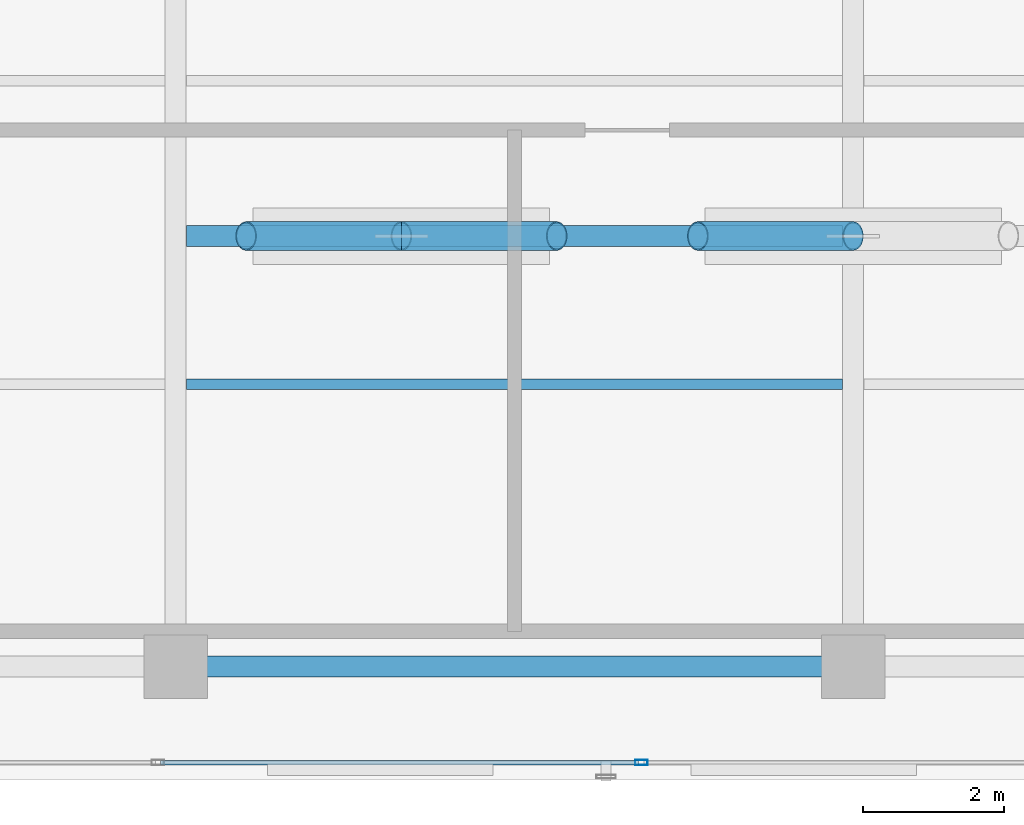
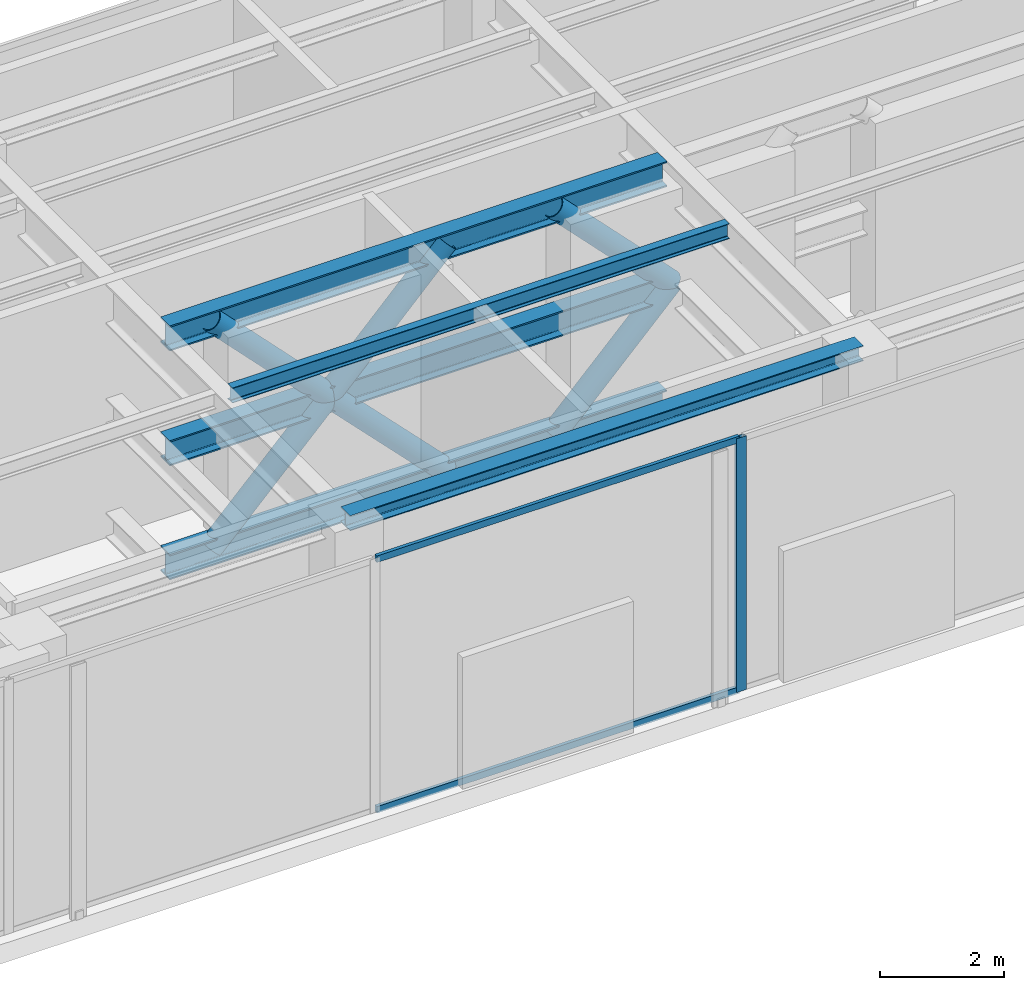
# One storey, part 7 of 29: 9 members, 5 beams, 1 element without a shape of its own.
"""IFC4 building model written with IfcOpenShell, lengths in metres."""

from ifc_helpers import new_model, si_unit, direction, frame, origin, origin_with_axes, origin_2d, place, context, subcontext, project, spatial, hollow_rectangle, hollow_circle, i_section, extrude, source, transform, mapped, material, layer, layer_set, material_profile, profile_set, type_object, element, aggregate, save


model = new_model("IFC4")

# Units and contexts
model_context = context("Model", 3, precision=1e-05, world=origin(), true_north=direction((0.0, 1.0)))
body_context = subcontext(model_context, "Body", "Model", "MODEL_VIEW")
ifc_project = project(units=[si_unit("LENGTHUNIT", "METRE"), si_unit("AREAUNIT", "SQUARE_METRE"), si_unit("VOLUMEUNIT", "CUBIC_METRE"), si_unit("PLANEANGLEUNIT", "RADIAN"), si_unit("MASSUNIT", "GRAM", prefix="KILO")], contexts=[model_context])

# Site, building, storey
site_placement = place(None, origin())
site = spatial("IfcSite", under=ifc_project, at=site_placement, CompositionType="ELEMENT")
building_placement = place(site_placement, origin())
building = spatial("IfcBuilding", under=site, at=building_placement, Name="Kolvaren Waterfront Exchange", CompositionType="ELEMENT")
storey_placement = place(building_placement, frame((0.0, 0.0, 338.800048828125)))
storey = spatial("IfcBuildingStorey", under=building, at=storey_placement, Name="L87", CompositionType="ELEMENT", Elevation=338.800048828125)

# Beams
ifc_material_1 = material(Name="Steel S355", Category="steel")
ifc_material_profile_1 = material_profile(ifc_material_1, i_section(OverallWidth=0.300048828125, OverallDepth=0.300048828125, WebThickness=0.010986328125, FlangeThickness=0.01904296875, FilletRadius=0.027099609375, at=origin_2d()), Name="HEB300")
ifc_profile_set_1 = profile_set([ifc_material_profile_1], Name="Steel S355")
beam_type_1 = type_object("IfcBeamType", Name="STR-BM-HEB300", PredefinedType="SPANDREL", material=ifc_profile_set_1)
beam_1_placement = place(storey_placement, frame((27.199951171875, 5.199951171875, 4.869873046875), z_axis=(1.0, 0.0, 0.0), x_axis=(0.0, 1.0, 0.0)))
element("IfcBeam", 1, at=beam_1_placement, inside=storey, type_object=beam_type_1, Name="L87 east-arm spandrel S2", PredefinedType="SPANDREL", context=body_context, shape_type="SweptSolid", body=[
    extrude(i_section(OverallWidth=0.300048828125, OverallDepth=0.300048828125, WebThickness=0.010986328125, FlangeThickness=0.01904296875, FilletRadius=0.027099609375, at=origin_2d()), origin(), (0.0, 0.0, 1.0), 9.60009765625),
])
ifc_material_profile_2 = material_profile(ifc_material_1, i_section(OverallWidth=0.300048828125, OverallDepth=0.5, WebThickness=0.014404296875, FlangeThickness=0.028076171875, FilletRadius=0.027099609375, at=origin_2d()), Name="HEB500")
ifc_profile_set_2 = profile_set([ifc_material_profile_2], Name="Steel S355")
beam_type_2 = type_object("IfcBeamType", Name="STR-BM-HEB500", PredefinedType="BEAM", material=ifc_profile_set_2)
for number, where, z_axis, x_axis, name in (
    (2, (27.35205078125, 11.300048828125, 0.25), (1.0, 0.0, 0.0), (0.0, 1.0, 0.0), "L87 Venturi turbine sill longitudinal beam 1"),
    (3, (27.35205078125, 11.300048828125, 2.5), (1.0, 0.0, 0.0), (0.0, 1.0, 0.0), "L87 Venturi turbine hub longitudinal beam 1"),
    (4, (27.35205078125, 11.300048828125, 4.77001953125), (1.0, 0.0, 0.0), (0.0, 1.0, 0.0), "L87 Venturi turbine head longitudinal beam 1"),
):
    element("IfcBeam", number, at=place(storey_placement, frame(where, z_axis=z_axis, x_axis=x_axis)), inside=storey, type_object=beam_type_2, Name=name, PredefinedType="BEAM", context=body_context, shape_type="SweptSolid", body=[
        extrude(i_section(OverallWidth=0.300048828125, OverallDepth=0.5, WebThickness=0.014404296875, FlangeThickness=0.028076171875, FilletRadius=0.027099609375, at=origin_2d()), origin(), (0.0, 0.0, 1.0), 9.2958984375),
    ])
ifc_material_profile_3 = material_profile(ifc_material_1, i_section(OverallWidth=0.14990234375, OverallDepth=0.300048828125, WebThickness=0.007080078125, FlangeThickness=0.0107421875, FilletRadius=0.014892578125, at=origin_2d()), Name="IPE300")
ifc_profile_set_3 = profile_set([ifc_material_profile_3], Name="Steel S355")
beam_type_3 = type_object("IfcBeamType", Name="STR-BM-IPE300", PredefinedType="JOIST", material=ifc_profile_set_3)
beam_2_placement = place(storey_placement, frame((27.35205078125, 9.199951171875, 4.869873046875), z_axis=(1.0, 0.0, 0.0), x_axis=(0.0, 1.0, 0.0)))
element("IfcBeam", 5, at=beam_2_placement, inside=storey, type_object=beam_type_3, Name="L87 east-arm composite joist 2B", PredefinedType="JOIST", context=body_context, shape_type="SweptSolid", body=[
    extrude(i_section(OverallWidth=0.14990234375, OverallDepth=0.300048828125, WebThickness=0.007080078125, FlangeThickness=0.0107421875, FilletRadius=0.014892578125, at=origin_2d()), origin(), (0.0, 0.0, 1.0), 9.2958984375),
])

# Members
ifc_material_profile_4 = material_profile(ifc_material_1, hollow_circle(Radius=0.203125, WallThickness=0.01611328125, at=origin_2d()), Name="CHS406.4x16")
ifc_profile_set_4 = profile_set([ifc_material_profile_4], Name="Steel S355")
member_type_1 = type_object("IfcMemberType", Name="STR-ST-CHS406", PredefinedType="STRUT", material=ifc_profile_set_4)
member_1_placement = place(storey_placement, frame((28.199951171875, 11.300048828125, 0.25), z_axis=(0.699109699154, 0.0, 0.715014425413), x_axis=(0.0, 1.0, 0.0)))
element("IfcMember", 6, at=member_1_placement, inside=storey, type_object=member_type_1, Name="L87 Venturi WIND TURBINE 1 portal strut 1", PredefinedType="STRUT", context=body_context, shape_type="SweptSolid", body=[
    extrude(hollow_circle(Radius=0.203125, WallThickness=0.01611328125, at=origin_2d()), origin(), (0.0, 0.0, 1.0), 3.146728515625),
])
member_2_placement = place(storey_placement, frame((32.60009765625, 11.300048828125, 0.25), z_axis=(-0.699149360423, 0.0, 0.714975644214), x_axis=(0.0, -1.0, 0.0)))
element("IfcMember", 7, at=member_2_placement, inside=storey, type_object=member_type_1, Name="L87 Venturi WIND TURBINE 1 portal strut 2", PredefinedType="STRUT", context=body_context, shape_type="SweptSolid", body=[
    extrude(hollow_circle(Radius=0.203125, WallThickness=0.01611328125, at=origin_2d()), origin(), (0.0, 0.0, 1.0), 3.14697265625),
])
member_3_placement = place(storey_placement, frame((28.199951171875, 11.300048828125, 4.77001953125), z_axis=(0.695937137842, 0.0, -0.718102708651), x_axis=(0.0, 1.0, 0.0)))
element("IfcMember", 8, at=member_3_placement, inside=storey, type_object=member_type_1, Name="L87 Venturi WIND TURBINE 1 portal strut 3", PredefinedType="STRUT", context=body_context, shape_type="SweptSolid", body=[
    extrude(hollow_circle(Radius=0.203125, WallThickness=0.01611328125, at=origin_2d()), origin(), (0.0, 0.0, 1.0), 3.1611328125),
])
member_4_placement = place(storey_placement, frame((32.60009765625, 11.300048828125, 4.77001953125), z_axis=(-0.695976960949, 0.0, -0.718064112617), x_axis=(0.0, -1.0, 0.0)))
element("IfcMember", 9, at=member_4_placement, inside=storey, type_object=member_type_1, Name="L87 Venturi WIND TURBINE 1 portal strut 4", PredefinedType="STRUT", context=body_context, shape_type="SweptSolid", body=[
    extrude(hollow_circle(Radius=0.203125, WallThickness=0.01611328125, at=origin_2d()), origin(), (0.0, 0.0, 1.0), 3.161376953125),
])
member_5_placement = place(storey_placement, frame((34.60009765625, 11.300048828125, 0.25), z_axis=(0.699109699154, 0.0, 0.715014425413), x_axis=(0.0, 1.0, 0.0)))
element("IfcMember", 10, at=member_5_placement, inside=storey, type_object=member_type_1, Name="L87 Venturi WIND TURBINE 2 portal strut 1", PredefinedType="STRUT", context=body_context, shape_type="SweptSolid", body=[
    extrude(hollow_circle(Radius=0.203125, WallThickness=0.01611328125, at=origin_2d()), origin(), (0.0, 0.0, 1.0), 3.146728515625),
])
member_6_placement = place(storey_placement, frame((34.60009765625, 11.300048828125, 4.77001953125), z_axis=(0.695937137842, 0.0, -0.718102708651), x_axis=(0.0, 1.0, 0.0)))
element("IfcMember", 11, at=member_6_placement, inside=storey, type_object=member_type_1, Name="L87 Venturi WIND TURBINE 2 portal strut 3", PredefinedType="STRUT", context=body_context, shape_type="SweptSolid", body=[
    extrude(hollow_circle(Radius=0.203125, WallThickness=0.01611328125, at=origin_2d()), origin(), (0.0, 0.0, 1.0), 3.1611328125),
])

# Curtain wall, members
ifc_material_2 = material(Name="Anodised dark bronze spandrel aluminium", Category="aluminium")
ifc_layer = layer(ifc_material_2, 0.219970703125, Name="Anodised dark bronze spandrel aluminium")
ifc_layer_set = layer_set([ifc_layer], Name="Anodised dark bronze spandrel aluminium")
curtain_wall_type = type_object("IfcCurtainWallType", Name="ARC-CW-SYS6", PredefinedType="USERDEFINED", material=ifc_layer_set)
curtain_wall_placement = place(storey_placement, origin())
curtain_wall = element("IfcCurtainWall", 12, at=curtain_wall_placement, inside=storey, type_object=curtain_wall_type, Name="L87 stick curtain wall CW6 (CW-L87-S)", ObjectType="STICK CURTAIN WALL", PredefinedType="USERDEFINED")
ifc_material_3 = material(Name="Anodised bronze aluminium 6063-T6", Category="aluminium")
ifc_material_profile_5 = material_profile(ifc_material_3, hollow_rectangle(XDim=0.074951171875, YDim=0.179931640625, WallThickness=0.00439453125, at=origin_2d()), Name="ALU-MUL-180x75x4.5")
ifc_profile_set_5 = profile_set([ifc_material_profile_5], Name="Anodised bronze aluminium 6063-T6")
member_type_2 = type_object("IfcMemberType", Name="ARC-CWM-180", PredefinedType="MULLION", material=ifc_profile_set_5)
shared_shape_1 = source(origin_with_axes(), body_context, "Body", "SweptSolid", [
    extrude(hollow_rectangle(XDim=0.074951171875, YDim=0.179931640625, WallThickness=0.00439453125, at=origin_2d()), origin(), (0.0, 0.0, 1.0), 5.02001953125),
])
member_7_placement = place(storey_placement, frame((33.800048828125, 3.840087890625, 0.0), z_axis=(0.0, 0.0, 1.0), x_axis=(0.0, 1.0, 0.0)))
member_7 = element("IfcMember", 13, at=member_7_placement, type_object=member_type_2, Name="CW6 mullion 5", PredefinedType="MULLION", context=body_context, shape_type="MappedRepresentation", body=[
    mapped(shared_shape_1, transform((0.0, 0.0, 0.0), x_axis=(1.0, 0.0, 0.0), y_axis=(0.0, 1.0, 0.0), z_axis=(0.0, 0.0, 1.0), scale=1.0)),
])
ifc_material_profile_6 = material_profile(ifc_material_3, hollow_rectangle(XDim=0.06494140625, YDim=0.1298828125, WallThickness=0.00390625, at=origin_2d()), Name="ALU-TRN-130x65x4")
ifc_profile_set_6 = profile_set([ifc_material_profile_6], Name="Anodised bronze aluminium 6063-T6")
member_type_3 = type_object("IfcMemberType", Name="ARC-CWT-130", PredefinedType="USERDEFINED", material=ifc_profile_set_6)
shared_shape_2 = source(origin_with_axes(), body_context, "Body", "SweptSolid", [
    extrude(hollow_rectangle(XDim=0.06494140625, YDim=0.1298828125, WallThickness=0.00390625, at=origin_2d()), origin(), (0.0, 0.0, 1.0), 6.77490234375),
])
member_8_placement = place(storey_placement, frame((26.987548828125, 3.840087890625, 0.032470703125), z_axis=(1.0, 0.0, 0.0), x_axis=(0.0, 1.0, 0.0)))
member_8 = element("IfcMember", 14, at=member_8_placement, type_object=member_type_3, Name="CW6 transom 4.1", ObjectType="TRANSOM", PredefinedType="USERDEFINED", context=body_context, shape_type="MappedRepresentation", body=[
    mapped(shared_shape_2, transform((0.0, 0.0, 0.0), x_axis=(1.0, 0.0, 0.0), y_axis=(0.0, 1.0, 0.0), z_axis=(0.0, 0.0, 1.0), scale=1.0)),
])
member_9_placement = place(storey_placement, frame((26.987548828125, 3.840087890625, 4.987548828125), z_axis=(1.0, 0.0, 0.0), x_axis=(0.0, 1.0, 0.0)))
member_9 = element("IfcMember", 15, at=member_9_placement, type_object=member_type_3, Name="CW6 transom 4.2", ObjectType="TRANSOM", PredefinedType="USERDEFINED", context=body_context, shape_type="MappedRepresentation", body=[
    mapped(shared_shape_2, transform((0.0, 0.0, 0.0), x_axis=(1.0, 0.0, 0.0), y_axis=(0.0, 1.0, 0.0), z_axis=(0.0, 0.0, 1.0), scale=1.0)),
])
aggregate(curtain_wall, [member_7, member_8, member_9])

save(model, "model.ifc")
